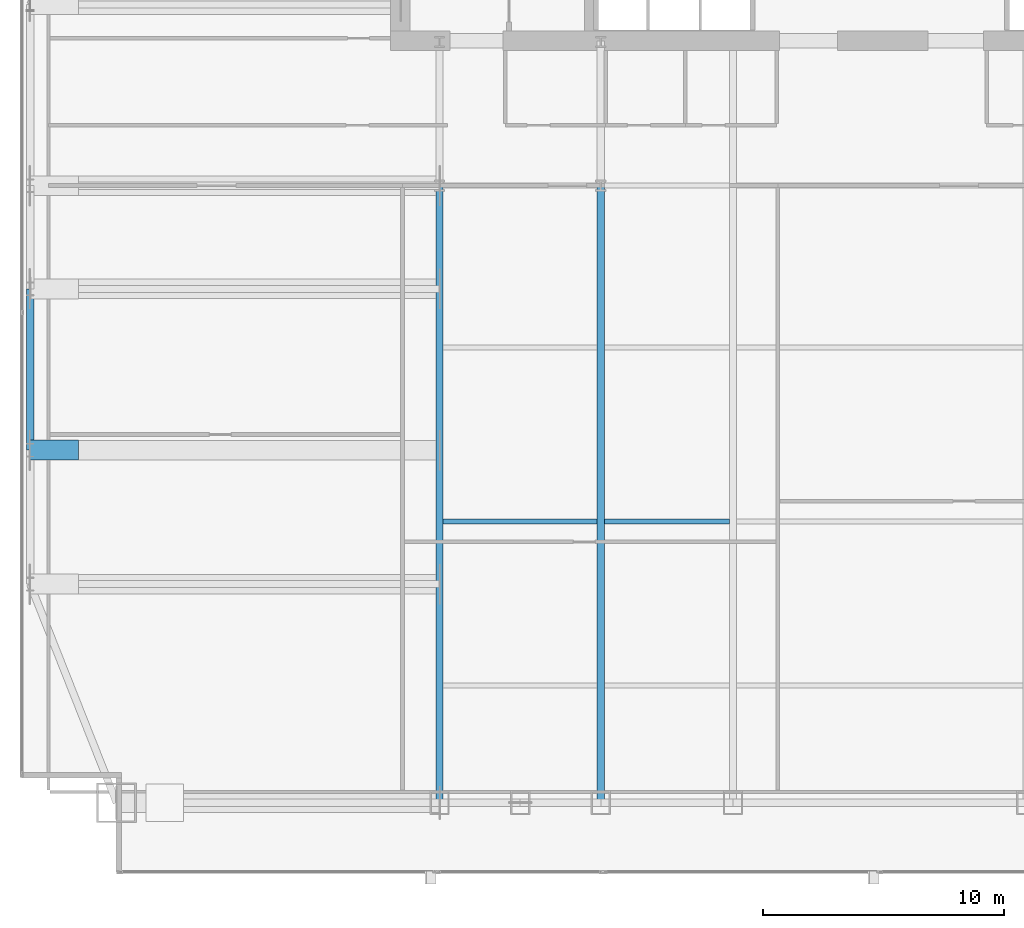
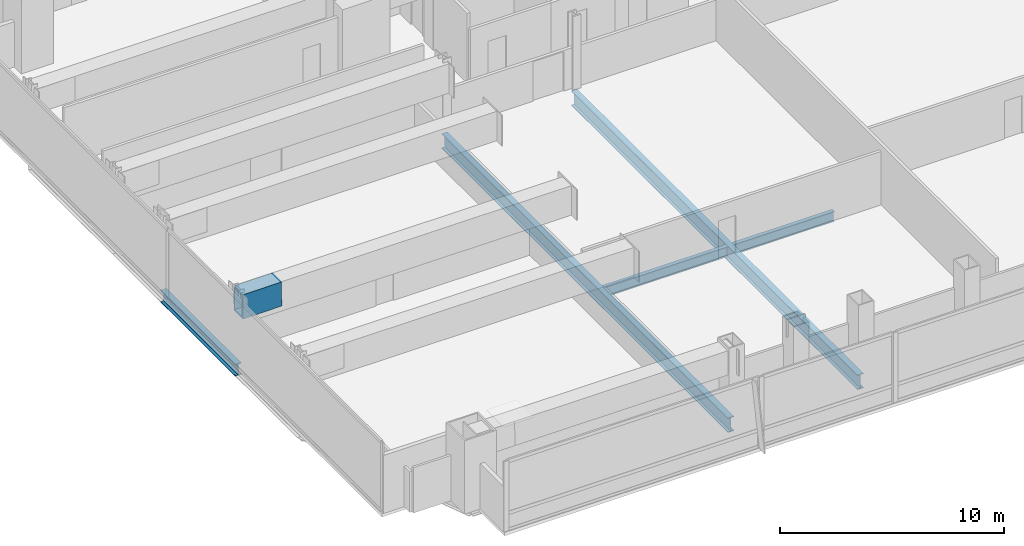
# One storey, part 8 of 32: 6 beams.
"""IFC4 building model written with IfcOpenShell, lengths in metres."""

from ifc_helpers import new_model, si_unit, direction, frame, origin, origin_2d, place, context, subcontext, project, spatial, hollow_rectangle, i_section, extrude, material, material_profile, profile_set, type_object, element, save


model = new_model("IFC4")

# Units and contexts
model_context = context("Model", 3, precision=1e-05, world=origin(), true_north=direction((0.0, 1.0)))
body_context = subcontext(model_context, "Body", "Model", "MODEL_VIEW")
ifc_project = project(units=[si_unit("LENGTHUNIT", "METRE"), si_unit("AREAUNIT", "SQUARE_METRE"), si_unit("VOLUMEUNIT", "CUBIC_METRE"), si_unit("PLANEANGLEUNIT", "RADIAN"), si_unit("MASSUNIT", "GRAM", prefix="KILO")], contexts=[model_context])

# Site, building, storey
site_placement = place(None, origin())
site = spatial("IfcSite", under=ifc_project, at=site_placement, CompositionType="ELEMENT")
building_placement = place(site_placement, origin())
building = spatial("IfcBuilding", under=site, at=building_placement, Name="Khoronbel Lancet Exchange", CompositionType="ELEMENT")
storey_placement = place(building_placement, frame((0.0, 0.0, 77.800048828125)))
storey = spatial("IfcBuildingStorey", under=building, at=storey_placement, Name="L18", CompositionType="ELEMENT", Elevation=77.800048828125)

# Beams
ifc_material_1 = material(Name="Steel S355", Category="steel")
ifc_material_profile_1 = material_profile(ifc_material_1, i_section(OverallWidth=0.300048828125, OverallDepth=0.800048828125, WebThickness=0.017578125, FlangeThickness=0.032958984375, at=origin_2d()), Name="HEB 800")
ifc_profile_set_1 = profile_set([ifc_material_profile_1], Name="Steel S355")
beam_type_1 = type_object("IfcBeamType", Name="BM-BG2", PredefinedType="BEAM", material=ifc_profile_set_1)
for number, where, z_axis, x_axis, name in (
    (1, (18.22509765625, 10.14990234375, -0.580078125), (0.0, 1.0, 0.0), (-1.0, 0.0, 0.0), "Level L18 south primary girder GS1"),
    (2, (24.89990234375, 10.14990234375, -0.580078125), (0.0, 1.0, 0.0), (-1.0, 0.0, 0.0), "Level L18 south primary girder GS2"),
):
    element("IfcBeam", number, at=place(storey_placement, frame(where, z_axis=z_axis, x_axis=x_axis)), inside=storey, type_object=beam_type_1, Name=name, PredefinedType="BEAM", context=body_context, shape_type="SweptSolid", body=[
        extrude(i_section(OverallWidth=0.300048828125, OverallDepth=0.800048828125, WebThickness=0.017578125, FlangeThickness=0.032958984375, at=origin_2d()), origin(), (0.0, 0.0, 1.0), 25.550048828125),
    ])
ifc_material_profile_2 = material_profile(ifc_material_1, i_section(OverallWidth=0.2099609375, OverallDepth=0.550048828125, WebThickness=0.010986328125, FlangeThickness=0.01708984375, at=origin_2d()), Name="IPE 550")
ifc_profile_set_2 = profile_set([ifc_material_profile_2], Name="Steel S355")
beam_type_2 = type_object("IfcBeamType", Name="BM-BJ2", PredefinedType="JOIST", material=ifc_profile_set_2)
beam_1_placement = place(storey_placement, frame((18.375, 21.800048828125, -0.455078125), z_axis=(1.0, 0.0, 0.0), x_axis=(0.0, 1.0, 0.0)))
element("IfcBeam", 3, at=beam_1_placement, inside=storey, type_object=beam_type_2, Name="Level L18 secondary composite joist J06", PredefinedType="JOIST", context=body_context, shape_type="SweptSolid", body=[
    extrude(i_section(OverallWidth=0.2099609375, OverallDepth=0.550048828125, WebThickness=0.010986328125, FlangeThickness=0.01708984375, at=origin_2d()), origin(), (0.0, 0.0, 1.0), 6.375),
])
beam_2_placement = place(storey_placement, frame((25.050048828125, 21.800048828125, -0.455078125), z_axis=(1.0, 0.0, 0.0), x_axis=(0.0, 1.0, 0.0)))
element("IfcBeam", 4, at=beam_2_placement, inside=storey, type_object=beam_type_2, Name="Level L18 secondary composite joist J07", PredefinedType="JOIST", context=body_context, shape_type="SweptSolid", body=[
    extrude(i_section(OverallWidth=0.2099609375, OverallDepth=0.550048828125, WebThickness=0.010986328125, FlangeThickness=0.01708984375, at=origin_2d()), origin(), (0.0, 0.0, 1.0), 5.175048828125),
])
ifc_material_profile_3 = material_profile(ifc_material_1, i_section(OverallWidth=0.300048828125, OverallDepth=0.64990234375, WebThickness=0.01611328125, FlangeThickness=0.031005859375, at=origin_2d()), Name="HEB 650")
ifc_profile_set_3 = profile_set([ifc_material_profile_3], Name="Steel S355")
beam_type_3 = type_object("IfcBeamType", Name="BM-BSP1", PredefinedType="SPANDREL", material=ifc_profile_set_3)
beam_3_placement = place(storey_placement, frame((1.27001953125, 31.425048828125, -0.505126953125), z_axis=(0.0, -1.0, 0.0), x_axis=(1.0, 0.0, 0.0)))
element("IfcBeam", 5, at=beam_3_placement, inside=storey, type_object=beam_type_3, Name="Level L18 perimeter spandrel beam SP19", PredefinedType="SPANDREL", context=body_context, shape_type="SweptSolid", body=[
    extrude(i_section(OverallWidth=0.300048828125, OverallDepth=0.64990234375, WebThickness=0.01611328125, FlangeThickness=0.031005859375, at=origin_2d()), origin(), (0.0, 0.0, 1.0), 6.675048828125),
])
ifc_material_2 = material(Name="Steel S460", Category="steel")
ifc_material_profile_4 = material_profile(ifc_material_2, hollow_rectangle(XDim=0.820068359375, YDim=1.320068359375, WallThickness=0.070068359375, at=origin_2d()), Name="BOX 820x1320x70")
ifc_profile_set_4 = profile_set([ifc_material_profile_4], Name="Steel S460")
beam_type_4 = type_object("IfcBeamType", Name="BM-TG4", PredefinedType="USERDEFINED", material=ifc_profile_set_4)
beam_4_placement = place(storey_placement, frame((1.27001953125, 24.75, 3.139892578125), z_axis=(0.99994990606, 0.0, 0.010009264196), x_axis=(0.0, 1.0, 0.0)))
element("IfcBeam", 6, at=beam_4_placement, inside=storey, type_object=beam_type_4, Name="Setback transfer knee-brace girder L18-WC-2", ObjectType="TRANSFER GIRDER", PredefinedType="USERDEFINED", context=body_context, shape_type="SweptSolid", body=[
    extrude(hollow_rectangle(XDim=0.820068359375, YDim=1.320068359375, WallThickness=0.070068359375, at=origin_2d()), origin(), (0.0, 0.0, 1.0), 2.0),
])

save(model, "model.ifc")
